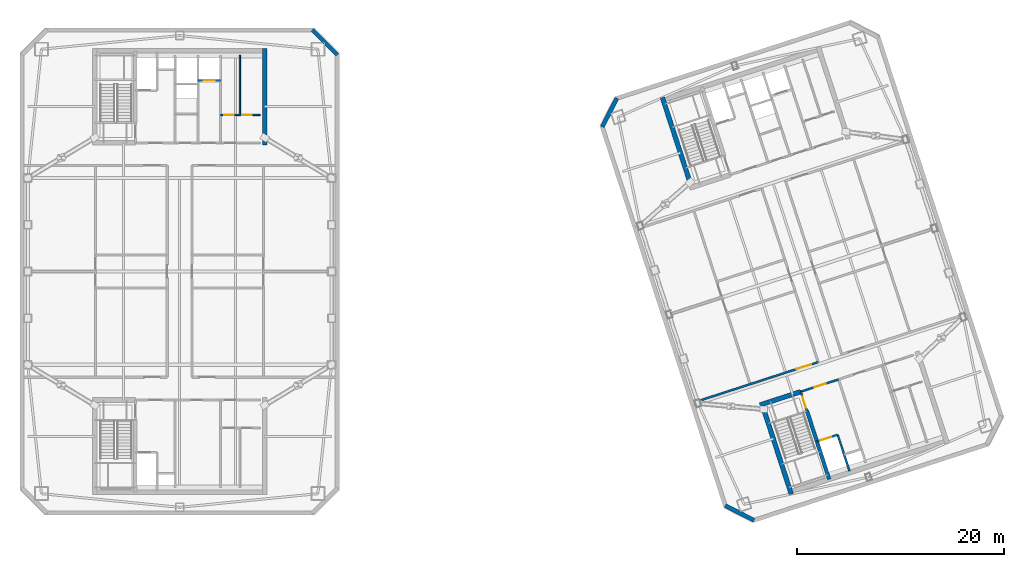
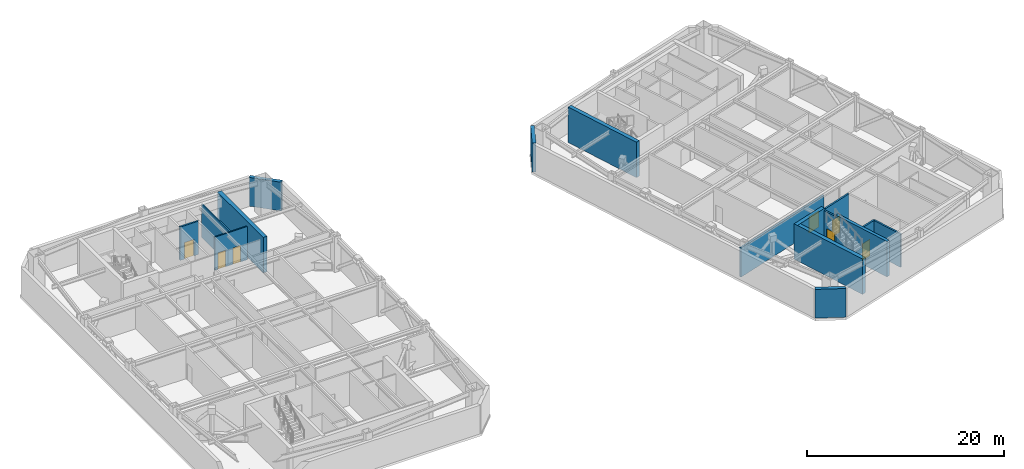
# One storey, part 12 of 17: 16 walls, 7 doors, 7 openings.
"""IFC4 building model written with IfcOpenShell, lengths in metres."""

import ifcopenshell
import ifcopenshell.guid

model = None  # the IFC model being written
_history = None  # IfcOwnerHistory: only IFC2X3 demands one
_inside = {}  # id of a spatial element -> (the spatial element, [elements in it])
_under = {}  # id of a project, library or spatial element -> (it, [spatial elements below it])
_declared = {}  # id of a project -> (the project, [libraries it declares])
_typed = {}  # id of a type object -> (the type object, [elements of that type])
_made_of = {}  # id of a material, layer set ... -> (it, [elements and type objects made of it])


def new_model(schema):
    """Start an empty IFC model of exactly this schema.

    Asked for "IFC4X3", IfcOpenShell would pick the latest addendum, in which some entities
    have other attributes; the version numbers below select the first issue.
    IFC2X3 requires an IfcOwnerHistory on every rooted entity: one is made here for all.
    """
    global model, _history
    if schema == "IFC4X3":
        model = ifcopenshell.file(schema_version=(4, 3, 0, 0))
    else:
        model = ifcopenshell.file(schema=schema)
    _inside.clear()
    _under.clear()
    _declared.clear()
    _typed.clear()
    _made_of.clear()
    _history = None
    if model.schema == "IFC2X3":
        org = make("IfcOrganization", Name="unknown")
        user = make(
            "IfcPersonAndOrganization",
            ThePerson=make("IfcPerson", FamilyName="unknown"),
            TheOrganization=org,
        )
        app = make(
            "IfcApplication",
            ApplicationDeveloper=org,
            Version="unknown",
            ApplicationFullName="unknown",
            ApplicationIdentifier="unknown",
        )
        _history = make(
            "IfcOwnerHistory",
            OwningUser=user,
            OwningApplication=app,
            ChangeAction="ADDED",
            CreationDate=0,
        )
    return model


def make(cls, **values):
    """One entity of the class cls with the attributes given. An attribute that is None is left unset."""
    return model.create_entity(
        cls, **{name: value for name, value in values.items() if value is not None}
    )


def rooted(cls, **values):
    """An entity with a GlobalId (a new one), such as an element, a storey or a relation."""
    return make(cls, GlobalId=ifcopenshell.guid.new(), OwnerHistory=_history, **values)


def si_unit(unit_type, name, prefix=None):
    """IfcSIUnit, for example si_unit("LENGTHUNIT", "METRE", prefix="MILLI")."""
    return make("IfcSIUnit", UnitType=unit_type, Prefix=prefix, Name=name)


def assignment(units):
    """IfcUnitAssignment: the units of a project."""
    return None if units is None else make("IfcUnitAssignment", Units=units)


def point(xyz):
    """IfcCartesianPoint."""
    return None if xyz is None else make("IfcCartesianPoint", Coordinates=xyz)


def direction(xyz):
    """IfcDirection."""
    return None if xyz is None else make("IfcDirection", DirectionRatios=xyz)


def frame(location, z_axis=None, x_axis=None):
    """IfcAxis2Placement3D, a coordinate frame: its origin and axes. An axis left out is left unset."""
    return make(
        "IfcAxis2Placement3D",
        Location=point(location),
        Axis=direction(z_axis),
        RefDirection=direction(x_axis),
    )


def frame_2d(location, x_axis=None):
    """IfcAxis2Placement2D, a coordinate frame in the plane: its origin and x axis."""
    return make(
        "IfcAxis2Placement2D", Location=point(location), RefDirection=direction(x_axis)
    )


def origin():
    """The frame at (0, 0, 0) with its axes left unset."""
    return frame((0.0, 0.0, 0.0))


def place(relative_to, where):
    """IfcLocalPlacement: puts the frame where relative to a parent placement (None: the world)."""
    return make(
        "IfcLocalPlacement", PlacementRelTo=relative_to, RelativePlacement=where
    )


def context(
    kind, dimensions, precision=None, world=None, true_north=None, identifier=None
):
    """IfcGeometricRepresentationContext, for example the 3D "Model" context."""
    return make(
        "IfcGeometricRepresentationContext",
        ContextIdentifier=identifier,
        ContextType=kind,
        CoordinateSpaceDimension=dimensions,
        Precision=precision,
        WorldCoordinateSystem=world,
        TrueNorth=true_north,
    )


def subcontext(parent, identifier, kind, view, scale=None):
    """IfcGeometricRepresentationSubContext, for example "Body" below "Model"."""
    return make(
        "IfcGeometricRepresentationSubContext",
        ContextIdentifier=identifier,
        ContextType=kind,
        ParentContext=parent,
        TargetScale=scale,
        TargetView=view,
    )


def project(units=None, contexts=None):
    """IfcProject with its units and contexts."""
    return rooted(
        "IfcProject",
        Name="project",
        RepresentationContexts=contexts,
        UnitsInContext=assignment(units),
    )


def spatial(cls, under=None, at=None, **own):
    """A site, building, storey or space (cls), placed at a placement, below another one or the project."""
    s = rooted(cls, ObjectPlacement=at, **own)
    if under is not None:
        _under.setdefault(under.id(), (under, []))[1].append(s)
    return s


def profile(cls, at=None, kind="AREA", **sizes):
    """A parametric profile (cls). Its sizes go by their IFC names, for example OverallWidth=200.0."""
    return make(cls, ProfileType=kind, Position=at, **sizes)


def rectangle(**sizes):
    """IfcRectangleProfileDef."""
    return profile("IfcRectangleProfileDef", **sizes)


def extrude(swept, where, along, depth):
    """IfcExtrudedAreaSolid: the profile swept, set in the frame where, extruded along a direction by depth."""
    return make(
        "IfcExtrudedAreaSolid",
        SweptArea=swept,
        Position=where,
        ExtrudedDirection=direction(along),
        Depth=depth,
    )


def shape(context_of_items, identifier, shape_type, items):
    """IfcShapeRepresentation: the items that make up one representation, for example the "Body"."""
    return make(
        "IfcShapeRepresentation",
        ContextOfItems=context_of_items,
        RepresentationIdentifier=identifier,
        RepresentationType=shape_type,
        Items=items,
    )


def material(Name=None, Category=None):
    """IfcMaterial."""
    return make("IfcMaterial", Name=Name, Category=Category)


def layer(
    of_material, thickness, ventilated=None, Name=None, Category=None, Priority=None
):
    """IfcMaterialLayer: one layer of a wall or slab, of a material (None: an air gap)."""
    return make(
        "IfcMaterialLayer",
        Material=of_material,
        LayerThickness=thickness,
        IsVentilated=ventilated,
        Name=Name,
        Category=Category,
        Priority=Priority,
    )


def layer_set(layers, Name=None):
    """IfcMaterialLayerSet."""
    return make("IfcMaterialLayerSet", MaterialLayers=layers, LayerSetName=Name)


def made_of(thing, what):
    """Note that an element or type object is made of a material, layer set ...; save() writes the relation."""
    if what is not None:
        _made_of.setdefault(what.id(), (what, []))[1].append(thing)
    return thing


def type_object(cls, material=None, **own):
    """A type object (cls), such as IfcWallType, which elements share."""
    return made_of(rooted(cls, **own), material)


def element(
    cls,
    number,
    at=None,
    inside=None,
    cuts=None,
    type_object=None,
    material=None,
    context=None,
    identifier="Body",
    shape_type=None,
    held_by="IfcProductDefinitionShape",
    body=None,
    shapes=None,
    **own,
):
    """One element of the class cls, such as IfcWall. Its Tag is "e" and its number.

    at: its placement. inside: the storey or other place that contains it. cuts: it is an
    opening in that element (IfcRelVoidsElement). A single representation is given by context,
    identifier, shape_type and body (its items); several are given by shapes. held_by: the class
    of the entity that holds the representations. save() writes the other relations.
    """
    e = rooted(cls, Tag="e%d" % number, ObjectPlacement=at, **own)
    if body is not None:
        shapes = [shape(context, identifier, shape_type, body)]
    if shapes is not None:
        e.Representation = make(held_by, Representations=shapes)
    if inside is not None:
        _inside.setdefault(inside.id(), (inside, []))[1].append(e)
    if cuts is not None:
        rooted(
            "IfcRelVoidsElement", RelatingBuildingElement=cuts, RelatedOpeningElement=e
        )
    if type_object is not None:
        _typed.setdefault(type_object.id(), (type_object, []))[1].append(e)
    return made_of(e, material)


def fill(opening, filler):
    """IfcRelFillsElement: the door or window that sits in an opening."""
    return rooted(
        "IfcRelFillsElement",
        RelatingOpeningElement=opening,
        RelatedBuildingElement=filler,
    )


def aggregate(whole, parts):
    """IfcRelAggregates: a whole, such as a stair, and the parts it consists of."""
    return rooted("IfcRelAggregates", RelatingObject=whole, RelatedObjects=parts)


def save(model, path):
    """Write the relations noted so far, then the file.

    IfcRelAggregates (storeys below a building ...), IfcRelContainedInSpatialStructure (elements
    in a storey), IfcRelDefinesByType, IfcRelAssociatesMaterial and IfcRelDeclares: one each for
    every whole, place, type object, material and project.
    """
    for whole, parts in _under.values():
        aggregate(whole, parts)
    for where, things in _inside.values():
        rooted(
            "IfcRelContainedInSpatialStructure",
            RelatedElements=things,
            RelatingStructure=where,
        )
    for kind, things in _typed.values():
        rooted("IfcRelDefinesByType", RelatedObjects=things, RelatingType=kind)
    for what, things in _made_of.values():
        rooted("IfcRelAssociatesMaterial", RelatedObjects=things, RelatingMaterial=what)
    for by, libraries in _declared.values():
        rooted("IfcRelDeclares", RelatingContext=by, RelatedDefinitions=libraries)
    model.write(path)


model = new_model("IFC4")

# Units and contexts
model_context = context("Model", 3, precision=1e-05, world=origin(), true_north=direction((0.0, 1.0)))
body_context = subcontext(model_context, "Body", "Model", "MODEL_VIEW")
ifc_project = project(units=[si_unit("LENGTHUNIT", "METRE"), si_unit("AREAUNIT", "SQUARE_METRE"), si_unit("VOLUMEUNIT", "CUBIC_METRE"), si_unit("PLANEANGLEUNIT", "RADIAN"), si_unit("MASSUNIT", "GRAM", prefix="KILO")], contexts=[model_context])

# Site, building, storey
site_placement = place(None, origin())
site = spatial("IfcSite", under=ifc_project, at=site_placement, CompositionType="ELEMENT")
building_placement = place(site_placement, origin())
building = spatial("IfcBuilding", under=site, at=building_placement, Name="Qiaolan Cultural Towers", CompositionType="ELEMENT")
storey_placement = place(building_placement, frame((0.0, 0.0, 230.0)))
storey = spatial("IfcBuildingStorey", under=building, at=storey_placement, Name="L62", CompositionType="ELEMENT", Elevation=230.0)

# Walls
ifc_material_1 = material(Name="Concrete C50", Category="concrete")
ifc_layer_1 = layer(ifc_material_1, 0.35009765625)
ifc_layer_set_1 = layer_set([ifc_layer_1], Name="Concrete C50")
wall_type_1 = type_object("IfcWallType", Name="WL-CORE-350", PredefinedType="SHEAR", material=ifc_layer_set_1)
wall_1_placement = place(storey_placement, frame((90.486328125, 20.59423828125, 0.0), z_axis=(0.0, 0.0, 1.0), x_axis=(0.309020428229, -0.951055400562, 0.0)))
element("IfcWall", 1, at=wall_1_placement, inside=storey, type_object=wall_type_1, Name="L62 T2-CS Stair Core Dividing Web", PredefinedType="SHEAR", context=body_context, shape_type="SweptSolid", body=[
    extrude(rectangle(XDim=6.97998046875, YDim=0.35009765625, at=frame_2d((3.489990234375, 0.0))), origin(), (0.0, 0.0, 1.0), 4.39990234375),
])
ifc_material_2 = material(Name="Concrete C50", Category="concrete")
ifc_layer_2 = layer(ifc_material_2, 0.449951171875)
ifc_layer_set_2 = layer_set([ifc_layer_2], Name="Concrete C50")
wall_type_2 = type_object("IfcWallType", Name="WL-CORE-450", PredefinedType="SHEAR", material=ifc_layer_set_2)
wall_2_placement = place(storey_placement, frame((38.199951171875, 46.175048828125, 0.0), z_axis=(0.0, 0.0, 1.0), x_axis=(0.0, 1.0, 0.0)))
element("IfcWall", 2, at=wall_2_placement, inside=storey, type_object=wall_type_2, Name="L62 T1-CN East Core Shear Wall", PredefinedType="SHEAR", context=body_context, shape_type="SweptSolid", body=[
    extrude(rectangle(XDim=9.329833984375, YDim=0.449951171875, at=frame_2d((4.6650390625, 0.0))), origin(), (0.0, 0.0, 1.0), 4.39990234375),
])
wall_3_placement = place(storey_placement, frame((86.1015625, 21.40380859375, 0.0), z_axis=(0.0, 0.0, 1.0), x_axis=(0.309035778627, -0.951050412717, 0.0)))
element("IfcWall", 3, at=wall_3_placement, inside=storey, type_object=wall_type_2, Name="L62 T2-CS West Core Shear Wall", PredefinedType="SHEAR", context=body_context, shape_type="SweptSolid", body=[
    extrude(rectangle(XDim=9.330078125, YDim=0.449951171875, at=frame_2d((4.6650390625, 0.0))), origin(), (0.0, 0.0, 1.0), 4.39990234375),
])
wall_4_placement = place(storey_placement, frame((85.957275390625, 21.120361328125, 0.0), z_axis=(0.0, 0.0, 1.0), x_axis=(0.951064796122, 0.308991510526, 0.0)))
element("IfcWall", 4, at=wall_4_placement, inside=storey, type_object=wall_type_2, Name="L62 T2-CS Stair Front Shear Wall", PredefinedType="SHEAR", context=body_context, shape_type="SweptSolid", body=[
    extrude(rectangle(XDim=4.14501953125, YDim=0.449951171875, at=frame_2d((2.072509765625, 0.0))), origin(), (0.0, 0.0, 1.0), 4.39990234375),
])
wall_5_placement = place(storey_placement, frame((79.4423828125, 41.899169921875, 0.0), z_axis=(0.0, 0.0, 1.0), x_axis=(-0.309035778627, 0.951050412717, 0.0)))
element("IfcWall", 5, at=wall_5_placement, inside=storey, type_object=wall_type_2, Name="L62 T2-CN West Core Shear Wall", PredefinedType="SHEAR", context=body_context, shape_type="SweptSolid", body=[
    extrude(rectangle(XDim=9.330078125, YDim=0.449951171875, at=frame_2d((4.6650390625, 0.0))), origin(), (0.0, 0.0, 1.0), 4.39990234375),
])
ifc_material_3 = material(Name="Precast Concrete C50 Honed Stone Pier", Category="masonry")
ifc_layer_3 = layer(ifc_material_3, 0.39990234375)
ifc_layer_set_3 = layer_set([ifc_layer_3], Name="Precast Concrete C50 Honed Stone Pier")
wall_type_3 = type_object("IfcWallType", Name="WL-EXT-PIER-400", PredefinedType="SOLIDWALL", material=ifc_layer_set_3)
wall_6_placement = place(storey_placement, frame((42.800048828125, 57.300048828125, 0.0), z_axis=(0.0, 0.0, 1.0), x_axis=(0.707070815327, -0.707142745217, 0.0)))
element("IfcWall", 6, at=wall_6_placement, inside=storey, type_object=wall_type_3, Name="L62 West Tower Precast Pier Facade Wall F4", PredefinedType="SOLIDWALL", context=body_context, shape_type="SweptSolid", body=[
    extrude(rectangle(XDim=3.39404296875, YDim=0.39990234375, at=frame_2d((1.697021484375, 0.0))), origin(), (0.0, 0.0, 1.0), 3.56005859375),
])
wall_7_placement = place(storey_placement, frame((70.752197265625, 47.93408203125, 0.0), z_axis=(0.0, 0.0, 1.0), x_axis=(0.453949291228, 0.891027519774, 0.0)))
element("IfcWall", 7, at=wall_7_placement, inside=storey, type_object=wall_type_3, Name="L62 East Tower Precast Pier Facade Wall F2", PredefinedType="SOLIDWALL", context=body_context, shape_type="SweptSolid", body=[
    extrude(rectangle(XDim=3.111328125, YDim=0.39990234375, at=frame_2d((1.5556640625, 0.0))), origin(), (0.0, 0.0, 1.0), 3.56005859375),
])
wall_8_placement = place(storey_placement, frame((85.390380859375, 10.0009765625, 0.0), z_axis=(0.0, 0.0, 1.0), x_axis=(-0.890979603174, 0.454043331334, 0.0)))
element("IfcWall", 8, at=wall_8_placement, inside=storey, type_object=wall_type_3, Name="L62 East Tower Precast Pier Facade Wall F8", PredefinedType="SOLIDWALL", context=body_context, shape_type="SweptSolid", body=[
    extrude(rectangle(XDim=3.111083984375, YDim=0.39990234375, at=frame_2d((1.5556640625, 0.0))), origin(), (0.0, 0.0, 1.0), 3.56005859375),
])

# Wall, opening, door
ifc_material_4 = material(Name="Concrete C35 Fire Wall", Category="concrete")
ifc_layer_4 = layer(ifc_material_4, 0.199951171875)
ifc_layer_set_4 = layer_set([ifc_layer_4], Name="Concrete C35 Fire Wall")
wall_type_4 = type_object("IfcWallType", Name="WL-FIRE-200", PredefinedType="PARTITIONING", material=ifc_layer_set_4)
wall_9_placement = place(storey_placement, frame((31.780029296875, 52.419921875, 0.0), z_axis=(0.0, 0.0, 1.0), x_axis=(1.0, 0.0, 0.0)))
wall_9 = element("IfcWall", 9, at=wall_9_placement, inside=storey, type_object=wall_type_4, Name="L62 T1-CN Shuttle Lift Shaft Front", PredefinedType="PARTITIONING", context=body_context, shape_type="SweptSolid", body=[
    extrude(rectangle(XDim=2.169921875, YDim=0.199951171875, at=frame_2d((1.0849609375, 0.0))), origin(), (0.0, 0.0, 1.0), 4.125),
])
opening_1_placement = place(wall_9_placement, frame((0.52001953125, 0.0, 0.0)))
opening_1 = element("IfcOpeningElement", 10, at=opening_1_placement, cuts=wall_9, Name="Opening LD-01", PredefinedType="OPENING", context=body_context, shape_type="SweptSolid", body=[
    extrude(rectangle(XDim=1.10009765625, YDim=2.050048828125, at=frame_2d((0.550048828125, 1.02490234375))), frame((0.0, 0.10986328125, 0.0), z_axis=(0.0, -1.0, 0.0), x_axis=(1.0, 0.0, 0.0)), (0.0, 0.0, 1.0), 0.219970703125),
])
ifc_material_5 = material(Name="Brushed Stainless Steel S30408 Centre-Parting Lift Landing Door", Category="steel")
door_type_1 = type_object("IfcDoorType", Name="DR-LIFT-1100", OperationType="NOTDEFINED", PredefinedType="DOOR", material=ifc_material_5)
door_1_placement = place(opening_1_placement, origin())
door_1 = element("IfcDoor", 11, at=door_1_placement, inside=storey, type_object=door_type_1, Name="L62 Sky Shuttle Lift Landing Door", OperationType="DOUBLE_DOOR_SLIDING", OverallHeight=2.050048828125, OverallWidth=1.10009765625, PredefinedType="DOOR", context=body_context, shape_type="SweptSolid", body=[
    extrude(rectangle(XDim=1.10009765625, YDim=2.050048828125, at=frame_2d((0.550048828125, 1.02490234375))), frame((0.0, 0.02490234375, 0.0), z_axis=(0.0, -1.0, 0.0), x_axis=(1.0, 0.0, 0.0)), (0.0, 0.0, 1.0), 0.050048828125),
])
fill(opening_1, door_1)

wall_10_placement = place(storey_placement, frame((89.8994140625, 22.401123046875, 0.0), z_axis=(0.0, 0.0, 1.0), x_axis=(0.308932062672, -0.951084108086, 0.0)))
wall_10 = element("IfcWall", 12, at=wall_10_placement, inside=storey, type_object=wall_type_4, Name="L62 T2-CS Smokeproof Stair Entry Wall", PredefinedType="PARTITIONING", context=body_context, shape_type="SweptSolid", body=[
    extrude(rectangle(XDim=1.89990234375, YDim=0.199951171875, at=frame_2d((0.949951171875, 0.0))), origin(), (0.0, 0.0, 1.0), 4.125),
])
opening_2_placement = place(wall_10_placement, frame((0.52001953125, 0.0, 0.0)))
opening_2 = element("IfcOpeningElement", 13, at=opening_2_placement, cuts=wall_10, Name="Opening FD-04", PredefinedType="OPENING", context=body_context, shape_type="SweptSolid", body=[
    extrude(rectangle(XDim=1.10009765625, YDim=2.050048828125, at=frame_2d((0.550048828125, 1.02490234375))), frame((0.0, 0.10986328125, 0.0), z_axis=(0.0, -1.0, 0.0), x_axis=(1.0, 0.0, 0.0)), (0.0, 0.0, 1.0), 0.219970703125),
])
ifc_material_6 = material(Name="Galvanized Steel Command Fire Door", Category="steel")
door_type_2 = type_object("IfcDoorType", Name="DR-FD90-1100", OperationType="NOTDEFINED", PredefinedType="DOOR", material=ifc_material_6)
door_2_placement = place(opening_2_placement, origin())
door_2 = element("IfcDoor", 14, at=door_2_placement, inside=storey, type_object=door_type_2, Name="L62 ST-E1 Smokeproof Stair Fire Door", OperationType="SINGLE_SWING_LEFT", OverallHeight=2.050048828125, OverallWidth=1.10009765625, PredefinedType="DOOR", context=body_context, shape_type="SweptSolid", body=[
    extrude(rectangle(XDim=1.10009765625, YDim=2.050048828125, at=frame_2d((0.550048828125, 1.02490234375))), frame((0.0, 0.02490234375, 0.0), z_axis=(0.0, -1.0, 0.0), x_axis=(1.0, 0.0, 0.0)), (0.0, 0.0, 1.0), 0.050048828125),
])
fill(opening_2, door_2)

wall_11_placement = place(storey_placement, frame((89.8994140625, 22.401123046875, 0.0), z_axis=(0.0, 0.0, 1.0), x_axis=(0.951046716504, 0.309047153403, 0.0)))
wall_11 = element("IfcWall", 15, at=wall_11_placement, inside=storey, type_object=wall_type_4, Name="L62 T2-CS Firefighting Lobby Front Wall", PredefinedType="PARTITIONING", context=body_context, shape_type="SweptSolid", body=[
    extrude(rectangle(XDim=3.829833984375, YDim=0.199951171875, at=frame_2d((1.9150390625, 0.0))), origin(), (0.0, 0.0, 1.0), 4.125),
])
opening_3_placement = place(wall_11_placement, frame((1.35009765625, 0.0, 0.0)))
opening_3 = element("IfcOpeningElement", 16, at=opening_3_placement, cuts=wall_11, Name="Opening FD-03", PredefinedType="OPENING", context=body_context, shape_type="SweptSolid", body=[
    extrude(rectangle(XDim=1.199951171875, YDim=2.050048828125, at=frame_2d((0.60009765625, 1.02490234375))), frame((0.0, 0.10986328125, 0.0), z_axis=(0.0, -1.0, 0.0), x_axis=(1.0, 0.0, 0.0)), (0.0, 0.0, 1.0), 0.219970703125),
])
ifc_material_7 = material(Name="Galvanized Steel Smokeproof Lobby Fire Door", Category="steel")
door_type_3 = type_object("IfcDoorType", Name="DR-FD90-1200", OperationType="NOTDEFINED", PredefinedType="DOOR", material=ifc_material_7)
door_3_placement = place(opening_3_placement, origin())
door_3 = element("IfcDoor", 17, at=door_3_placement, inside=storey, type_object=door_type_3, Name="L62 FFL-E1 Firefighting Lobby Fire Door", OperationType="SINGLE_SWING_LEFT", OverallHeight=2.050048828125, OverallWidth=1.199951171875, PredefinedType="DOOR", context=body_context, shape_type="SweptSolid", body=[
    extrude(rectangle(XDim=1.199951171875, YDim=2.050048828125, at=frame_2d((0.60009765625, 1.02490234375))), frame((0.0, 0.02490234375, 0.0), z_axis=(0.0, -1.0, 0.0), x_axis=(1.0, 0.0, 0.0)), (0.0, 0.0, 1.0), 0.050048828125),
])
fill(opening_3, door_3)

wall_12_placement = place(storey_placement, frame((91.459716796875, 17.598388671875, 0.0), z_axis=(0.0, 0.0, 1.0), x_axis=(0.951062257173, 0.308999325213, 0.0)))
wall_12 = element("IfcWall", 18, at=wall_12_placement, inside=storey, type_object=wall_type_4, Name="L62 T2-CS Firefighting Shaft Front Wall", PredefinedType="PARTITIONING", context=body_context, shape_type="SweptSolid", body=[
    extrude(rectangle(XDim=2.10009765625, YDim=0.199951171875, at=frame_2d((1.050048828125, 0.0))), origin(), (0.0, 0.0, 1.0), 4.125),
])
opening_4_placement = place(wall_12_placement, frame((0.35009765625, 0.0, 0.0)))
opening_4 = element("IfcOpeningElement", 19, at=opening_4_placement, cuts=wall_12, Name="Opening LD-01", PredefinedType="OPENING", context=body_context, shape_type="SweptSolid", body=[
    extrude(rectangle(XDim=1.10009765625, YDim=2.050048828125, at=frame_2d((0.550048828125, 1.02490234375))), frame((0.0, 0.10986328125, 0.0), z_axis=(0.0, -1.0, 0.0), x_axis=(1.0, 0.0, 0.0)), (0.0, 0.0, 1.0), 0.219970703125),
])
door_4_placement = place(opening_4_placement, origin())
door_4 = element("IfcDoor", 20, at=door_4_placement, inside=storey, type_object=door_type_1, Name="L62 FFL-E1 Firefighting Lift Landing Door", OperationType="DOUBLE_DOOR_SLIDING", OverallHeight=2.050048828125, OverallWidth=1.10009765625, PredefinedType="DOOR", context=body_context, shape_type="SweptSolid", body=[
    extrude(rectangle(XDim=1.10009765625, YDim=2.050048828125, at=frame_2d((0.550048828125, 1.02490234375))), frame((0.0, 0.02490234375, 0.0), z_axis=(0.0, -1.0, 0.0), x_axis=(1.0, 0.0, 0.0)), (0.0, 0.0, 1.0), 0.050048828125),
])
fill(opening_4, door_4)

# Wall
wall_13_placement = place(storey_placement, frame((93.45703125, 18.247314453125, 0.0), z_axis=(0.0, 0.0, 1.0), x_axis=(0.3089935693, -0.951064127245, 0.0)))
element("IfcWall", 21, at=wall_13_placement, inside=storey, type_object=wall_type_4, Name="L62 T2-CS Firefighting Hoistway East Wall", PredefinedType="PARTITIONING", context=body_context, shape_type="SweptSolid", body=[
    extrude(rectangle(XDim=3.7001953125, YDim=0.199951171875, at=frame_2d((1.85009765625, 0.0))), origin(), (0.0, 0.0, 1.0), 4.125),
])

# Wall, opening, door
wall_14_placement = place(storey_placement, frame((79.5947265625, 21.3662109375, 0.0), z_axis=(0.0, 0.0, 1.0), x_axis=(0.951058557014, 0.309010713619, 0.0)))
wall_14 = element("IfcWall", 22, at=wall_14_placement, inside=storey, type_object=wall_type_4, Name="L62 T2 Fire Rated Plant/Refuge Wall SBW", PredefinedType="PARTITIONING", context=body_context, shape_type="SweptSolid", body=[
    extrude(rectangle(XDim=12.60009765625, YDim=0.199951171875, at=frame_2d((6.300048828125, 0.0))), origin(), (0.0, 0.0, 1.0), 3.626953125),
])
opening_5_placement = place(wall_14_placement, frame((10.39990234375, 0.0, 0.0)))
opening_5 = element("IfcOpeningElement", 23, at=opening_5_placement, cuts=wall_14, Name="Opening FD-02", PredefinedType="OPENING", context=body_context, shape_type="SweptSolid", body=[
    extrude(rectangle(XDim=1.5, YDim=2.050048828125, at=frame_2d((0.75, 1.02490234375))), frame((0.0, 0.10986328125, 0.0), z_axis=(0.0, -1.0, 0.0), x_axis=(1.0, 0.0, 0.0)), (0.0, 0.0, 1.0), 0.219970703125),
])
ifc_material_8 = material(Name="Galvanized Steel Double Fire Door", Category="steel")
door_type_4 = type_object("IfcDoorType", Name="DR-FD90-1500", OperationType="NOTDEFINED", PredefinedType="DOOR", material=ifc_material_8)
door_5_placement = place(opening_5_placement, origin())
door_5 = element("IfcDoor", 24, at=door_5_placement, inside=storey, type_object=door_type_4, Name="L62 T2 West South Refuge Fire Door", OperationType="SINGLE_SWING_LEFT", OverallHeight=2.050048828125, OverallWidth=1.5, PredefinedType="DOOR", context=body_context, shape_type="SweptSolid", body=[
    extrude(rectangle(XDim=1.5, YDim=2.050048828125, at=frame_2d((0.75, 1.02490234375))), frame((0.0, 0.02490234375, 0.0), z_axis=(0.0, -1.0, 0.0), x_axis=(1.0, 0.0, 0.0)), (0.0, 0.0, 1.0), 0.050048828125),
])
fill(opening_5, door_5)

# Wall, openings, doors
ifc_material_9 = material(Name="Autoclaved Aerated Concrete Block B06", Category="concrete")
ifc_layer_5 = layer(ifc_material_9, 0.14990234375)
ifc_layer_set_5 = layer_set([ifc_layer_5], Name="Autoclaved Aerated Concrete Block B06")
wall_type_5 = type_object("IfcWallType", Name="WL-PART-150", PredefinedType="PARTITIONING", material=ifc_layer_set_5)
wall_15_placement = place(storey_placement, frame((33.949951171875, 49.10009765625, 0.0), z_axis=(0.0, 0.0, 1.0), x_axis=(1.0, 0.0, 0.0)))
wall_15 = element("IfcWall", 25, at=wall_15_placement, inside=storey, type_object=wall_type_5, Name="L62 T1-CN Restroom Vestibule Wall", PredefinedType="PARTITIONING", context=body_context, shape_type="SweptSolid", body=[
    extrude(rectangle(XDim=3.800048828125, YDim=0.14990234375, at=frame_2d((1.89990234375, 0.0))), origin(), (0.0, 0.0, 1.0), 4.125),
])
opening_6_placement = place(wall_15_placement, frame((0.35009765625, 0.0, 0.0)))
opening_6 = element("IfcOpeningElement", 26, at=opening_6_placement, cuts=wall_15, Name="Opening ID-06", PredefinedType="OPENING", context=body_context, shape_type="SweptSolid", body=[
    extrude(rectangle(XDim=0.89990234375, YDim=2.050048828125, at=frame_2d((0.449951171875, 1.02490234375))), frame((0.0, 0.0849609375, 0.0), z_axis=(0.0, -1.0, 0.0), x_axis=(1.0, 0.0, 0.0)), (0.0, 0.0, 1.0), 0.169921875),
])
opening_7_placement = place(wall_15_placement, frame((2.10009765625, 0.0, 0.0)))
opening_7 = element("IfcOpeningElement", 27, at=opening_7_placement, cuts=wall_15, Name="Opening ID-06", PredefinedType="OPENING", context=body_context, shape_type="SweptSolid", body=[
    extrude(rectangle(XDim=0.89990234375, YDim=2.050048828125, at=frame_2d((0.449951171875, 1.02490234375))), frame((0.0, 0.0849609375, 0.0), z_axis=(0.0, -1.0, 0.0), x_axis=(1.0, 0.0, 0.0)), (0.0, 0.0, 1.0), 0.169921875),
])
ifc_material_10 = material(Name="Fire-Rated Laminate Core Service Door", Category="timber")
door_type_5 = type_object("IfcDoorType", Name="DR-INT-900", OperationType="NOTDEFINED", PredefinedType="DOOR", material=ifc_material_10)
door_6_placement = place(opening_6_placement, origin())
door_6 = element("IfcDoor", 28, at=door_6_placement, inside=storey, type_object=door_type_5, Name="L62 Men Restroom Door", OperationType="SINGLE_SWING_LEFT", OverallHeight=2.050048828125, OverallWidth=0.89990234375, PredefinedType="DOOR", context=body_context, shape_type="SweptSolid", body=[
    extrude(rectangle(XDim=0.89990234375, YDim=2.050048828125, at=frame_2d((0.449951171875, 1.02490234375))), frame((0.0, 0.02490234375, 0.0), z_axis=(0.0, -1.0, 0.0), x_axis=(1.0, 0.0, 0.0)), (0.0, 0.0, 1.0), 0.050048828125),
])
fill(opening_6, door_6)
door_7_placement = place(opening_7_placement, origin())
door_7 = element("IfcDoor", 29, at=door_7_placement, inside=storey, type_object=door_type_5, Name="L62 Accessible & Women Restroom Door", OperationType="SINGLE_SWING_RIGHT", OverallHeight=2.050048828125, OverallWidth=0.89990234375, PredefinedType="DOOR", context=body_context, shape_type="SweptSolid", body=[
    extrude(rectangle(XDim=0.89990234375, YDim=2.050048828125, at=frame_2d((0.449951171875, 1.02490234375))), frame((0.0, 0.02490234375, 0.0), z_axis=(0.0, -1.0, 0.0), x_axis=(1.0, 0.0, 0.0)), (0.0, 0.0, 1.0), 0.050048828125),
])
fill(opening_7, door_7)

# Wall
wall_16_placement = place(storey_placement, frame((35.800048828125, 49.10009765625, 0.0), z_axis=(0.0, 0.0, 1.0), x_axis=(0.0, 1.0, 0.0)))
element("IfcWall", 30, at=wall_16_placement, inside=storey, type_object=wall_type_5, Name="L62 T1-CN Restroom Divider Wall", PredefinedType="PARTITIONING", context=body_context, shape_type="SweptSolid", body=[
    extrude(rectangle(XDim=5.72998046875, YDim=0.14990234375, at=frame_2d((2.864990234375, 0.0))), origin(), (0.0, 0.0, 1.0), 4.125),
])

save(model, "model.ifc")
